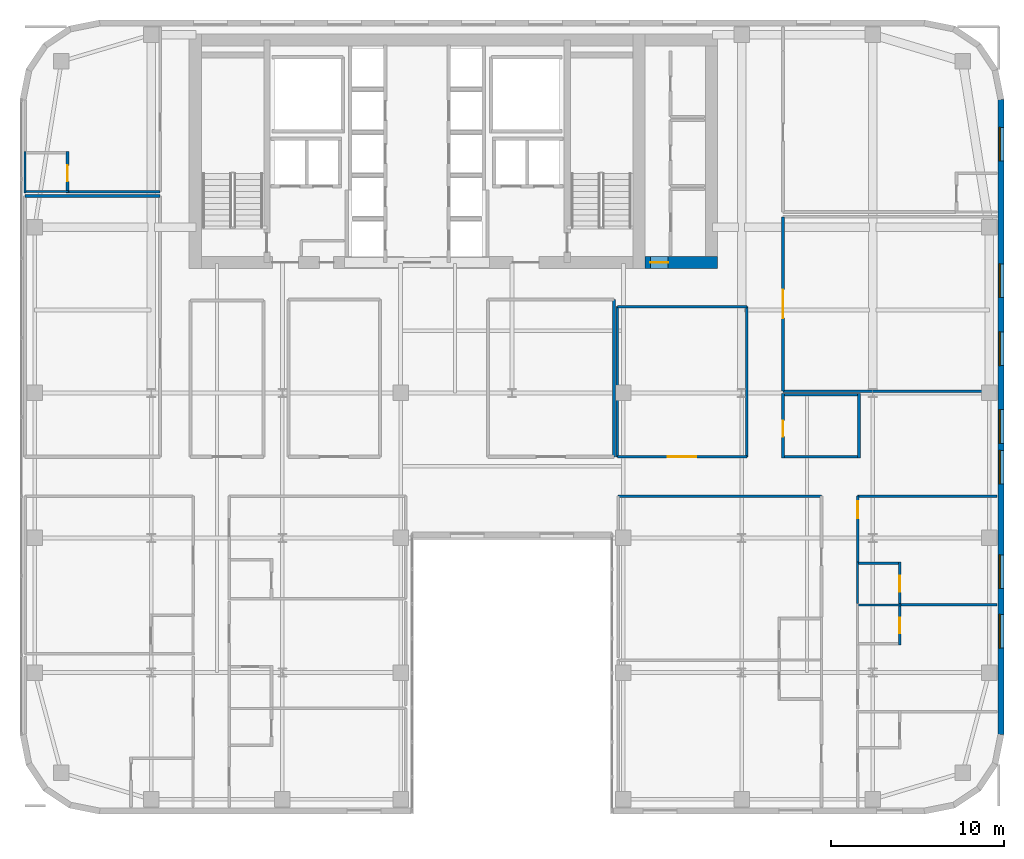
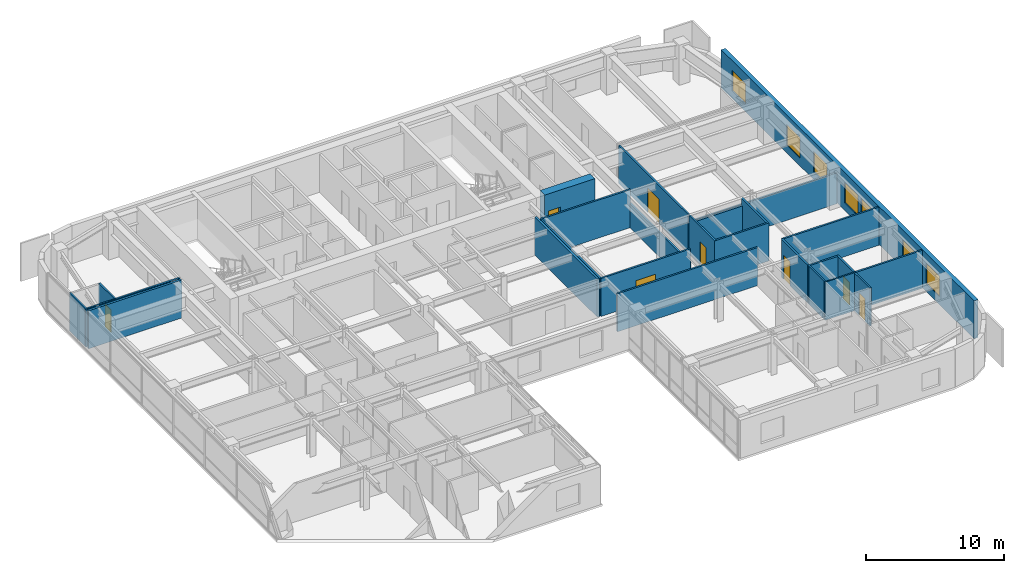
# One storey, part 26 of 30: 27 walls, 8 doors, 7 windows, 15 openings.
"""IFC4 building model written with IfcOpenShell, lengths in metres."""

from ifc_helpers import new_model, si_unit, direction, frame, frame_2d, origin, place, context, subcontext, project, spatial, rectangle, extrude, source, transform, mapped, material, layer, layer_set, type_object, type_shapes, element, fill, save


model = new_model("IFC4")

# Units and contexts
model_context = context("Model", 3, precision=1e-05, world=origin(), true_north=direction((0.0, 1.0)))
body_context = subcontext(model_context, "Body", "Model", "MODEL_VIEW")
ifc_project = project(units=[si_unit("LENGTHUNIT", "METRE"), si_unit("AREAUNIT", "SQUARE_METRE"), si_unit("VOLUMEUNIT", "CUBIC_METRE"), si_unit("PLANEANGLEUNIT", "RADIAN"), si_unit("MASSUNIT", "GRAM", prefix="KILO")], contexts=[model_context])

# Site, building, storey
site_placement = place(None, origin())
site = spatial("IfcSite", under=ifc_project, at=site_placement, CompositionType="ELEMENT")
building_placement = place(site_placement, origin())
building = spatial("IfcBuilding", under=site, at=building_placement, Name="Tolvann Quenvar Hotel", CompositionType="ELEMENT")
storey_placement = place(building_placement, frame((0.0, 0.0, 100.89990234375)))
storey = spatial("IfcBuildingStorey", under=building, at=storey_placement, Name="L25", CompositionType="ELEMENT", Elevation=100.89990234375)

# Wall, opening, door
ifc_material_1 = material(Name="Concrete S65 (65 MPa)", Category="concrete")
ifc_layer_1 = layer(ifc_material_1, 0.699951171875)
ifc_layer_set_1 = layer_set([ifc_layer_1], Name="Concrete S65 (65 MPa)")
wall_type_1 = type_object("IfcWallType", Name="WALL_CORE_700", PredefinedType="SHEAR", material=ifc_layer_set_1)
wall_1_placement = place(storey_placement, frame((36.199951171875, 31.949951171875, 0.0), z_axis=(0.0, 0.0, 1.0), x_axis=(1.0, 0.0, 0.0)))
wall_1 = element("IfcWall", 1, at=wall_1_placement, inside=storey, type_object=wall_type_1, Name="Core East Annex Shear Wall ANN-S (L25)", PredefinedType="SHEAR", context=body_context, shape_type="SweptSolid", body=[
    extrude(rectangle(XDim=4.199951171875, YDim=0.699951171875, at=frame_2d((2.10009765625, 0.0))), origin(), (0.0, 0.0, 1.0), 3.550048828125),
])
opening_1_placement = place(wall_1_placement, frame((1.340087890625, 0.0, 0.0), z_axis=(0.0, 0.0, 1.0), x_axis=(-1.0, 0.0, 0.0)))
opening_1 = element("IfcOpeningElement", 2, at=opening_1_placement, cuts=wall_1, Name="Opening HD-01", PredefinedType="OPENING", context=body_context, shape_type="SweptSolid", body=[
    extrude(rectangle(XDim=1.02001953125, YDim=2.030029296875, at=frame_2d((0.510009765625, 1.01513671875))), frame((0.0, 0.35986328125, 0.0), z_axis=(0.0, -1.0, 0.0), x_axis=(1.0, 0.0, 0.0)), (0.0, 0.0, 1.0), 0.719970703125),
])
ifc_material_2 = material(Name="Pressed galvanised steel fire-rated door set", Category="steel")
door_type_1 = type_object("IfcDoorType", Name="DOOR_BOH_1020", OperationType="NOTDEFINED", PredefinedType="DOOR", material=ifc_material_2)
shared_shape_1 = source(origin(), body_context, "Body", "SweptSolid", [
    extrude(rectangle(XDim=1.02001953125, YDim=2.030029296875, at=frame_2d((0.510009765625, 1.01513671875))), frame((0.0, 0.02490234375, 0.0), z_axis=(0.0, -1.0, 0.0), x_axis=(1.0, 0.0, 0.0)), (0.0, 0.0, 1.0), 0.050048828125),
])
type_shapes(door_type_1, [shared_shape_1])
door_1_placement = place(opening_1_placement, origin())
door_1 = element("IfcDoor", 3, at=door_1_placement, inside=storey, type_object=door_type_1, Name="Housekeeping Annex Fire Door (L25)", OperationType="SINGLE_SWING_RIGHT", OverallHeight=2.030029296875, OverallWidth=1.02001953125, PredefinedType="DOOR", context=body_context, shape_type="MappedRepresentation", body=[
    mapped(shared_shape_1, transform((0.0, 0.0, 0.0), x_axis=(1.0, 0.0, 0.0), y_axis=(0.0, 1.0, 0.0), z_axis=(0.0, 0.0, 1.0), scale=1.0)),
])
fill(opening_1, door_1)

# Wall, openings, windows
ifc_material_3 = material(Name="Kiln-fired red and buff architectural clay brickwork and terracotta masonry", Category="masonry")
ifc_layer_2 = layer(ifc_material_3, 0.35009765625)
ifc_layer_set_2 = layer_set([ifc_layer_2], Name="Kiln-fired red and buff architectural clay brickwork and terracotta masonry")
wall_type_2 = type_object("IfcWallType", Name="WALL_EXT_BRICK_350", PredefinedType="SOLIDWALL", material=ifc_layer_set_2)
wall_2_placement = place(storey_placement, frame((56.824951171875, 4.6171875, 0.0), z_axis=(0.0, 0.0, 1.0), x_axis=(0.0, 1.0, 0.0)))
wall_2 = element("IfcWall", 4, at=wall_2_placement, inside=storey, type_object=wall_type_2, Name="Exterior Chicago Brick Wall L25-E13", PredefinedType="SOLIDWALL", context=body_context, shape_type="SweptSolid", body=[
    extrude(rectangle(XDim=36.765625, YDim=0.35009765625, at=frame_2d((18.3828125, 0.0))), origin(), (0.0, 0.0, 1.0), 3.3701171875),
])
opening_2_placement = place(wall_2_placement, frame((5.0029296875, 0.0, 0.679931640625)))
opening_2 = element("IfcOpeningElement", 5, at=opening_2_placement, cuts=wall_2, Name="Opening W-10", PredefinedType="OPENING", context=body_context, shape_type="SweptSolid", body=[
    extrude(rectangle(XDim=1.949951171875, YDim=1.820068359375, at=frame_2d((0.97509765625, 0.91015625))), frame((0.0, 0.18505859375, 0.0), z_axis=(0.0, -1.0, 0.0), x_axis=(1.0, 0.0, 0.0)), (0.0, 0.0, 1.0), 0.3701171875),
])
opening_3_placement = place(wall_2_placement, frame((8.4541015625, 0.0, 0.679931640625)))
opening_3 = element("IfcOpeningElement", 6, at=opening_3_placement, cuts=wall_2, Name="Opening W-10", PredefinedType="OPENING", context=body_context, shape_type="SweptSolid", body=[
    extrude(rectangle(XDim=1.949951171875, YDim=1.820068359375, at=frame_2d((0.97509765625, 0.91015625))), frame((0.0, 0.18505859375, 0.0), z_axis=(0.0, -1.0, 0.0), x_axis=(1.0, 0.0, 0.0)), (0.0, 0.0, 1.0), 0.3701171875),
])
opening_4_placement = place(wall_2_placement, frame((14.506103515625, 0.0, 0.679931640625)))
opening_4 = element("IfcOpeningElement", 7, at=opening_4_placement, cuts=wall_2, Name="Opening W-10", PredefinedType="OPENING", context=body_context, shape_type="SweptSolid", body=[
    extrude(rectangle(XDim=1.949951171875, YDim=1.820068359375, at=frame_2d((0.97509765625, 0.91015625))), frame((0.0, 0.18505859375, 0.0), z_axis=(0.0, -1.0, 0.0), x_axis=(1.0, 0.0, 0.0)), (0.0, 0.0, 1.0), 0.3701171875),
])
opening_5_placement = place(wall_2_placement, frame((16.85791015625, 0.0, 0.679931640625)))
opening_5 = element("IfcOpeningElement", 8, at=opening_5_placement, cuts=wall_2, Name="Opening W-10", PredefinedType="OPENING", context=body_context, shape_type="SweptSolid", body=[
    extrude(rectangle(XDim=1.949951171875, YDim=1.820068359375, at=frame_2d((0.97509765625, 0.91015625))), frame((0.0, 0.18505859375, 0.0), z_axis=(0.0, -1.0, 0.0), x_axis=(1.0, 0.0, 0.0)), (0.0, 0.0, 1.0), 0.3701171875),
])
opening_6_placement = place(wall_2_placement, frame((21.360107421875, 0.0, 0.679931640625)))
opening_6 = element("IfcOpeningElement", 9, at=opening_6_placement, cuts=wall_2, Name="Opening W-10", PredefinedType="OPENING", context=body_context, shape_type="SweptSolid", body=[
    extrude(rectangle(XDim=1.949951171875, YDim=1.820068359375, at=frame_2d((0.97509765625, 0.91015625))), frame((0.0, 0.18505859375, 0.0), z_axis=(0.0, -1.0, 0.0), x_axis=(1.0, 0.0, 0.0)), (0.0, 0.0, 1.0), 0.3701171875),
])
opening_7_placement = place(wall_2_placement, frame((25.31103515625, 0.0, 0.679931640625)))
opening_7 = element("IfcOpeningElement", 10, at=opening_7_placement, cuts=wall_2, Name="Opening W-10", PredefinedType="OPENING", context=body_context, shape_type="SweptSolid", body=[
    extrude(rectangle(XDim=1.949951171875, YDim=1.820068359375, at=frame_2d((0.97509765625, 0.91015625))), frame((0.0, 0.18505859375, 0.0), z_axis=(0.0, -1.0, 0.0), x_axis=(1.0, 0.0, 0.0)), (0.0, 0.0, 1.0), 0.3701171875),
])
opening_8_placement = place(wall_2_placement, frame((33.215087890625, 0.0, 0.679931640625)))
opening_8 = element("IfcOpeningElement", 11, at=opening_8_placement, cuts=wall_2, Name="Opening W-10", PredefinedType="OPENING", context=body_context, shape_type="SweptSolid", body=[
    extrude(rectangle(XDim=1.949951171875, YDim=1.820068359375, at=frame_2d((0.97509765625, 0.91015625))), frame((0.0, 0.18505859375, 0.0), z_axis=(0.0, -1.0, 0.0), x_axis=(1.0, 0.0, 0.0)), (0.0, 0.0, 1.0), 0.3701171875),
])
ifc_material_4 = material(Name="Thermally broken bronze-anodised aluminium frame with double low-E glazing", Category="aluminium")
window_type = type_object("IfcWindowType", Name="WIN_CLB_1950x1850", PartitioningType="DOUBLE_PANEL_VERTICAL", PredefinedType="WINDOW", material=ifc_material_4)
shared_shape_2 = source(origin(), body_context, "Body", "SweptSolid", [
    extrude(rectangle(XDim=1.949951171875, YDim=1.820068359375, at=frame_2d((0.97509765625, 0.91015625))), frame((0.0, 0.090087890625, 0.0), z_axis=(0.0, -1.0, 0.0), x_axis=(1.0, 0.0, 0.0)), (0.0, 0.0, 1.0), 0.06005859375),
])
type_shapes(window_type, [shared_shape_2])
window_1_placement = place(opening_2_placement, origin())
window_1 = element("IfcWindow", 12, at=window_1_placement, inside=storey, type_object=window_type, Name="Chicago Window W-10 (EW-L25-E13-W01)", OverallHeight=1.820068359375, OverallWidth=1.949951171875, PartitioningType="DOUBLE_PANEL_VERTICAL", PredefinedType="WINDOW", context=body_context, shape_type="MappedRepresentation", body=[
    mapped(shared_shape_2, transform((0.0, 0.0, 0.0), x_axis=(1.0, 0.0, 0.0), y_axis=(0.0, 1.0, 0.0), z_axis=(0.0, 0.0, 1.0), scale=1.0)),
])
fill(opening_2, window_1)
window_2_placement = place(opening_3_placement, origin())
window_2 = element("IfcWindow", 13, at=window_2_placement, inside=storey, type_object=window_type, Name="Chicago Window W-10 (EW-L25-E13-W02)", OverallHeight=1.820068359375, OverallWidth=1.949951171875, PartitioningType="DOUBLE_PANEL_VERTICAL", PredefinedType="WINDOW", context=body_context, shape_type="MappedRepresentation", body=[
    mapped(shared_shape_2, transform((0.0, 0.0, 0.0), x_axis=(1.0, 0.0, 0.0), y_axis=(0.0, 1.0, 0.0), z_axis=(0.0, 0.0, 1.0), scale=1.0)),
])
fill(opening_3, window_2)
window_3_placement = place(opening_4_placement, origin())
window_3 = element("IfcWindow", 14, at=window_3_placement, inside=storey, type_object=window_type, Name="Chicago Window W-10 (EW-L25-E13-W03)", OverallHeight=1.820068359375, OverallWidth=1.949951171875, PartitioningType="DOUBLE_PANEL_VERTICAL", PredefinedType="WINDOW", context=body_context, shape_type="MappedRepresentation", body=[
    mapped(shared_shape_2, transform((0.0, 0.0, 0.0), x_axis=(1.0, 0.0, 0.0), y_axis=(0.0, 1.0, 0.0), z_axis=(0.0, 0.0, 1.0), scale=1.0)),
])
fill(opening_4, window_3)
window_4_placement = place(opening_5_placement, origin())
window_4 = element("IfcWindow", 15, at=window_4_placement, inside=storey, type_object=window_type, Name="Chicago Window W-10 (EW-L25-E13-W04)", OverallHeight=1.820068359375, OverallWidth=1.949951171875, PartitioningType="DOUBLE_PANEL_VERTICAL", PredefinedType="WINDOW", context=body_context, shape_type="MappedRepresentation", body=[
    mapped(shared_shape_2, transform((0.0, 0.0, 0.0), x_axis=(1.0, 0.0, 0.0), y_axis=(0.0, 1.0, 0.0), z_axis=(0.0, 0.0, 1.0), scale=1.0)),
])
fill(opening_5, window_4)
window_5_placement = place(opening_6_placement, origin())
window_5 = element("IfcWindow", 16, at=window_5_placement, inside=storey, type_object=window_type, Name="Chicago Window W-10 (EW-L25-E13-W05)", OverallHeight=1.820068359375, OverallWidth=1.949951171875, PartitioningType="DOUBLE_PANEL_VERTICAL", PredefinedType="WINDOW", context=body_context, shape_type="MappedRepresentation", body=[
    mapped(shared_shape_2, transform((0.0, 0.0, 0.0), x_axis=(1.0, 0.0, 0.0), y_axis=(0.0, 1.0, 0.0), z_axis=(0.0, 0.0, 1.0), scale=1.0)),
])
fill(opening_6, window_5)
window_6_placement = place(opening_7_placement, origin())
window_6 = element("IfcWindow", 17, at=window_6_placement, inside=storey, type_object=window_type, Name="Chicago Window W-10 (EW-L25-E13-W06)", OverallHeight=1.820068359375, OverallWidth=1.949951171875, PartitioningType="DOUBLE_PANEL_VERTICAL", PredefinedType="WINDOW", context=body_context, shape_type="MappedRepresentation", body=[
    mapped(shared_shape_2, transform((0.0, 0.0, 0.0), x_axis=(1.0, 0.0, 0.0), y_axis=(0.0, 1.0, 0.0), z_axis=(0.0, 0.0, 1.0), scale=1.0)),
])
fill(opening_7, window_6)
window_7_placement = place(opening_8_placement, origin())
window_7 = element("IfcWindow", 18, at=window_7_placement, inside=storey, type_object=window_type, Name="Chicago Window W-10 (EW-L25-E13-W07)", OverallHeight=1.820068359375, OverallWidth=1.949951171875, PartitioningType="DOUBLE_PANEL_VERTICAL", PredefinedType="WINDOW", context=body_context, shape_type="MappedRepresentation", body=[
    mapped(shared_shape_2, transform((0.0, 0.0, 0.0), x_axis=(1.0, 0.0, 0.0), y_axis=(0.0, 1.0, 0.0), z_axis=(0.0, 0.0, 1.0), scale=1.0)),
])
fill(opening_8, window_7)

# Walls
ifc_material_5 = material(Name="Acoustic twin-stud fire-rated gypsum plasterboard partition")
ifc_layer_3 = layer(ifc_material_5, 0.179931640625)
ifc_layer_set_3 = layer_set([ifc_layer_3], Name="Acoustic twin-stud fire-rated gypsum plasterboard partition")
wall_type_3 = type_object("IfcWallType", Name="WALL_PART_ACOUSTIC_180", PredefinedType="PARTITIONING", material=ifc_layer_set_3)
wall_3_placement = place(storey_placement, frame((0.300048828125, 35.800048828125, 0.0), z_axis=(0.0, 0.0, 1.0), x_axis=(1.0, 0.0, 0.0)))
element("IfcWall", 19, at=wall_3_placement, inside=storey, type_object=wall_type_3, Name="Interior Partition PT-SPC-L25-SAL-N", PredefinedType="PARTITIONING", context=body_context, shape_type="SweptSolid", body=[
    extrude(rectangle(XDim=7.820068359375, YDim=0.179931640625, at=frame_2d((3.91015625, 0.0))), origin(), (0.0, 0.0, 1.0), 3.3701171875),
])
wall_4_placement = place(storey_placement, frame((34.39990234375, 20.699951171875, 0.0), z_axis=(0.0, 0.0, 1.0), x_axis=(0.0, 1.0, 0.0)))
element("IfcWall", 20, at=wall_4_placement, inside=storey, type_object=wall_type_3, Name="Interior Partition PT-SPC-L25-MSP-C-E", PredefinedType="PARTITIONING", context=body_context, shape_type="SweptSolid", body=[
    extrude(rectangle(XDim=9.10009765625, YDim=0.179931640625, at=frame_2d((4.550048828125, 0.0))), origin(), (0.0, 0.0, 1.0), 3.3701171875),
])
ifc_material_6 = material(Name="Moisture-resistant acoustic plumbing wall assembly")
ifc_layer_4 = layer(ifc_material_6, 0.1201171875)
ifc_layer_set_4 = layer_set([ifc_layer_4], Name="Moisture-resistant acoustic plumbing wall assembly")
wall_type_4 = type_object("IfcWallType", Name="WALL_PART_BATH_120", PredefinedType="PLUMBINGWALL", material=ifc_layer_set_4)
wall_5_placement = place(storey_placement, frame((48.449951171875, 12.1201171875, 0.0), z_axis=(0.0, 0.0, 1.0), x_axis=(1.0, 0.0, 0.0)))
element("IfcWall", 21, at=wall_5_placement, inside=storey, type_object=wall_type_4, Name="Non-Rated Plumbing Partition PT-SPC-L25-ENS-EO02-N", PredefinedType="PLUMBINGWALL", context=body_context, shape_type="SweptSolid", body=[
    extrude(rectangle(XDim=2.590087890625, YDim=0.1201171875, at=frame_2d((1.294921875, 0.0))), origin(), (0.0, 0.0, 1.0), 3.3701171875),
])
wall_6_placement = place(storey_placement, frame((48.52001953125, 12.2099609375, 0.0), z_axis=(0.0, 0.0, 1.0), x_axis=(0.0, 1.0, 0.0)))
element("IfcWall", 22, at=wall_6_placement, inside=storey, type_object=wall_type_4, Name="Non-Rated Plumbing Partition PT-SPC-L25-ENS-EO03-W", PredefinedType="PLUMBINGWALL", context=body_context, shape_type="SweptSolid", body=[
    extrude(rectangle(XDim=2.39013671875, YDim=0.1201171875, at=frame_2d((1.195068359375, 0.0))), origin(), (0.0, 0.0, 1.0), 3.3701171875),
])
wall_7_placement = place(storey_placement, frame((0.22998046875, 36.06005859375, 0.0), z_axis=(0.0, 0.0, 1.0), x_axis=(1.0, 0.0, 0.0)))
element("IfcWall", 23, at=wall_7_placement, inside=storey, type_object=wall_type_4, Name="Non-Rated Plumbing Partition PT-SPC-L25-ENS-NW01-S", PredefinedType="PLUMBINGWALL", context=body_context, shape_type="SweptSolid", body=[
    extrude(rectangle(XDim=2.590087890625, YDim=0.1201171875, at=frame_2d((1.294921875, 0.0))), origin(), (0.0, 0.0, 1.0), 3.3701171875),
])
wall_8_placement = place(storey_placement, frame((0.300048828125, 35.989990234375, 0.0), z_axis=(0.0, 0.0, 1.0), x_axis=(0.0, 1.0, 0.0)))
element("IfcWall", 24, at=wall_8_placement, inside=storey, type_object=wall_type_4, Name="Non-Rated Plumbing Partition PT-SPC-L25-ENS-NW01-W", PredefinedType="PLUMBINGWALL", context=body_context, shape_type="SweptSolid", body=[
    extrude(rectangle(XDim=2.389892578125, YDim=0.1201171875, at=frame_2d((1.19482421875, 0.0))), origin(), (0.0, 0.0, 1.0), 3.3701171875),
])

# Wall, opening, door
ifc_layer_5 = layer(ifc_material_5, 0.14990234375)
ifc_layer_set_5 = layer_set([ifc_layer_5], Name="Acoustic twin-stud fire-rated gypsum plasterboard partition")
wall_type_5 = type_object("IfcWallType", Name="WALL_PART_SUITE_150", PredefinedType="PARTITIONING", material=ifc_layer_set_5)
wall_9_placement = place(storey_placement, frame((50.969970703125, 9.800048828125, 0.0), z_axis=(0.0, 0.0, 1.0), x_axis=(0.0, 1.0, 0.0)))
wall_9 = element("IfcWall", 25, at=wall_9_placement, inside=storey, type_object=wall_type_5, Name="Interior Partition PT-SPC-L25-ENS-EO02-ENT", PredefinedType="PARTITIONING", context=body_context, shape_type="SweptSolid", body=[
    extrude(rectangle(XDim=2.389892578125, YDim=0.14990234375, at=frame_2d((1.19482421875, 0.0))), origin(), (0.0, 0.0, 1.0), 3.3701171875),
])
opening_9_placement = place(wall_9_placement, frame((0.6650390625, 0.0, 0.0)))
opening_9 = element("IfcOpeningElement", 26, at=opening_9_placement, cuts=wall_9, Name="Opening WD-01", PredefinedType="OPENING", context=body_context, shape_type="SweptSolid", body=[
    extrude(rectangle(XDim=0.919921875, YDim=2.010009765625, at=frame_2d((0.4599609375, 1.0048828125))), frame((0.0, 0.0849609375, 0.0), z_axis=(0.0, -1.0, 0.0), x_axis=(1.0, 0.0, 0.0)), (0.0, 0.0, 1.0), 0.169921875),
])
ifc_material_7 = material(Name="Solid-core American oak acoustic fire door leaf in steel frame", Category="steel")
door_type_2 = type_object("IfcDoorType", Name="DOOR_WC_920", OperationType="NOTDEFINED", PredefinedType="DOOR", material=ifc_material_7)
shared_shape_3 = source(origin(), body_context, "Body", "SweptSolid", [
    extrude(rectangle(XDim=0.919921875, YDim=2.010009765625, at=frame_2d((0.4599609375, 1.0048828125))), frame((0.0, 0.02490234375, 0.0), z_axis=(0.0, -1.0, 0.0), x_axis=(1.0, 0.0, 0.0)), (0.0, 0.0, 1.0), 0.050048828125),
])
type_shapes(door_type_2, [shared_shape_3])
door_2_placement = place(opening_9_placement, origin())
door_2 = element("IfcDoor", 27, at=door_2_placement, inside=storey, type_object=door_type_2, Name="Interior Door DOOR-SPC-L25-ENS-EO02", OperationType="SINGLE_SWING_LEFT", OverallHeight=2.010009765625, OverallWidth=0.919921875, PredefinedType="DOOR", context=body_context, shape_type="MappedRepresentation", body=[
    mapped(shared_shape_3, transform((0.0, 0.0, 0.0), x_axis=(1.0, 0.0, 0.0), y_axis=(0.0, 1.0, 0.0), z_axis=(0.0, 0.0, 1.0), scale=1.0)),
])
fill(opening_9, door_2)

wall_10_placement = place(storey_placement, frame((50.969970703125, 12.2099609375, 0.0), z_axis=(0.0, 0.0, 1.0), x_axis=(0.0, 1.0, 0.0)))
wall_10 = element("IfcWall", 28, at=wall_10_placement, inside=storey, type_object=wall_type_5, Name="Interior Partition PT-SPC-L25-ENS-EO03-ENT", PredefinedType="PARTITIONING", context=body_context, shape_type="SweptSolid", body=[
    extrude(rectangle(XDim=2.39013671875, YDim=0.14990234375, at=frame_2d((1.195068359375, 0.0))), origin(), (0.0, 0.0, 1.0), 3.3701171875),
])
opening_10_placement = place(wall_10_placement, frame((0.6650390625, 0.0, 0.0)))
opening_10 = element("IfcOpeningElement", 29, at=opening_10_placement, cuts=wall_10, Name="Opening WD-01", PredefinedType="OPENING", context=body_context, shape_type="SweptSolid", body=[
    extrude(rectangle(XDim=0.919921875, YDim=2.010009765625, at=frame_2d((0.4599609375, 1.0048828125))), frame((0.0, 0.0849609375, 0.0), z_axis=(0.0, -1.0, 0.0), x_axis=(1.0, 0.0, 0.0)), (0.0, 0.0, 1.0), 0.169921875),
])
door_3_placement = place(opening_10_placement, origin())
door_3 = element("IfcDoor", 30, at=door_3_placement, inside=storey, type_object=door_type_2, Name="Interior Door DOOR-SPC-L25-ENS-EO03", OperationType="SINGLE_SWING_RIGHT", OverallHeight=2.010009765625, OverallWidth=0.919921875, PredefinedType="DOOR", context=body_context, shape_type="MappedRepresentation", body=[
    mapped(shared_shape_3, transform((0.0, 0.0, 0.0), x_axis=(1.0, 0.0, 0.0), y_axis=(0.0, 1.0, 0.0), z_axis=(0.0, 0.0, 1.0), scale=1.0)),
])
fill(opening_10, door_3)

# Wall
wall_11_placement = place(storey_placement, frame((48.449951171875, 14.530029296875, 0.0), z_axis=(0.0, 0.0, 1.0), x_axis=(1.0, 0.0, 0.0)))
element("IfcWall", 31, at=wall_11_placement, inside=storey, type_object=wall_type_5, Name="Interior Partition PT-SPC-L25-ENS-EO03-N", PredefinedType="PARTITIONING", context=body_context, shape_type="SweptSolid", body=[
    extrude(rectangle(XDim=2.590087890625, YDim=0.14990234375, at=frame_2d((1.294921875, 0.0))), origin(), (0.0, 0.0, 1.0), 3.3701171875),
])

# Wall, opening, door
wall_12_placement = place(storey_placement, frame((2.75, 35.989990234375, 0.0), z_axis=(0.0, 0.0, 1.0), x_axis=(0.0, 1.0, 0.0)))
wall_12 = element("IfcWall", 32, at=wall_12_placement, inside=storey, type_object=wall_type_5, Name="Interior Partition PT-SPC-L25-ENS-NW01-ENT", PredefinedType="PARTITIONING", context=body_context, shape_type="SweptSolid", body=[
    extrude(rectangle(XDim=2.389892578125, YDim=0.14990234375, at=frame_2d((1.19482421875, 0.0))), origin(), (0.0, 0.0, 1.0), 3.3701171875),
])
opening_11_placement = place(wall_12_placement, frame((0.6650390625, 0.0, 0.0)))
opening_11 = element("IfcOpeningElement", 33, at=opening_11_placement, cuts=wall_12, Name="Opening WD-01", PredefinedType="OPENING", context=body_context, shape_type="SweptSolid", body=[
    extrude(rectangle(XDim=0.919921875, YDim=2.010009765625, at=frame_2d((0.4599609375, 1.0048828125))), frame((0.0, 0.0849609375, 0.0), z_axis=(0.0, -1.0, 0.0), x_axis=(1.0, 0.0, 0.0)), (0.0, 0.0, 1.0), 0.169921875),
])
door_4_placement = place(opening_11_placement, origin())
door_4 = element("IfcDoor", 34, at=door_4_placement, inside=storey, type_object=door_type_2, Name="Interior Door DOOR-SPC-L25-ENS-NW01", OperationType="SINGLE_SWING_LEFT", OverallHeight=2.010009765625, OverallWidth=0.919921875, PredefinedType="DOOR", context=body_context, shape_type="MappedRepresentation", body=[
    mapped(shared_shape_3, transform((0.0, 0.0, 0.0), x_axis=(1.0, 0.0, 0.0), y_axis=(0.0, 1.0, 0.0), z_axis=(0.0, 0.0, 1.0), scale=1.0)),
])
fill(opening_11, door_4)

# Walls
wall_13_placement = place(storey_placement, frame((34.64990234375, 18.419921875, 0.0), z_axis=(0.0, 0.0, 1.0), x_axis=(1.0, 0.0, 0.0)))
element("IfcWall", 35, at=wall_13_placement, inside=storey, type_object=wall_type_5, Name="Interior Partition PT-SPC-L25-RM-EI02-E5", PredefinedType="PARTITIONING", context=body_context, shape_type="SweptSolid", body=[
    extrude(rectangle(XDim=11.780029296875, YDim=0.14990234375, at=frame_2d((5.89013671875, 0.0))), origin(), (0.0, 0.0, 1.0), 3.3701171875),
])
wall_14_placement = place(storey_placement, frame((50.989990234375, 12.1201171875, 0.0), z_axis=(0.0, 0.0, 1.0), x_axis=(1.0, 0.0, 0.0)))
element("IfcWall", 36, at=wall_14_placement, inside=storey, type_object=wall_type_5, Name="Interior Partition PT-SPC-L25-RM-EO02-E3", PredefinedType="PARTITIONING", context=body_context, shape_type="SweptSolid", body=[
    extrude(rectangle(XDim=5.60498046875, YDim=0.14990234375, at=frame_2d((2.802490234375, 0.0))), origin(), (0.0, 0.0, 1.0), 3.3701171875),
])

# Wall, opening, door
wall_15_placement = place(storey_placement, frame((48.52001953125, 14.610107421875, 0.0), z_axis=(0.0, 0.0, 1.0), x_axis=(0.0, 1.0, 0.0)))
wall_15 = element("IfcWall", 37, at=wall_15_placement, inside=storey, type_object=wall_type_5, Name="Interior Partition PT-SPC-L25-RM-EO03-ENT", PredefinedType="PARTITIONING", context=body_context, shape_type="SweptSolid", body=[
    extrude(rectangle(XDim=3.809814453125, YDim=0.14990234375, at=frame_2d((1.90478515625, 0.0))), origin(), (0.0, 0.0, 1.0), 3.3701171875),
])
opening_12_placement = place(wall_15_placement, frame((2.52001953125, 0.0, 0.0)))
opening_12 = element("IfcOpeningElement", 38, at=opening_12_placement, cuts=wall_15, Name="Opening SD-01", PredefinedType="OPENING", context=body_context, shape_type="SweptSolid", body=[
    extrude(rectangle(XDim=0.97998046875, YDim=2.1201171875, at=frame_2d((0.489990234375, 1.06005859375))), frame((0.0, 0.0849609375, 0.0), z_axis=(0.0, -1.0, 0.0), x_axis=(1.0, 0.0, 0.0)), (0.0, 0.0, 1.0), 0.169921875),
])
door_type_3 = type_object("IfcDoorType", Name="DOOR_SUITE_980", OperationType="NOTDEFINED", PredefinedType="DOOR", material=ifc_material_7)
shared_shape_4 = source(origin(), body_context, "Body", "SweptSolid", [
    extrude(rectangle(XDim=0.97998046875, YDim=2.1201171875, at=frame_2d((0.489990234375, 1.06005859375))), frame((0.0, 0.02490234375, 0.0), z_axis=(0.0, -1.0, 0.0), x_axis=(1.0, 0.0, 0.0)), (0.0, 0.0, 1.0), 0.050048828125),
])
type_shapes(door_type_3, [shared_shape_4])
door_5_placement = place(opening_12_placement, origin())
door_5 = element("IfcDoor", 39, at=door_5_placement, inside=storey, type_object=door_type_3, Name="Interior Door DOOR-SPC-L25-RM-EO03", OperationType="SINGLE_SWING_LEFT", OverallHeight=2.1201171875, OverallWidth=0.97998046875, PredefinedType="DOOR", context=body_context, shape_type="MappedRepresentation", body=[
    mapped(shared_shape_4, transform((0.0, 0.0, 0.0), x_axis=(1.0, 0.0, 0.0), y_axis=(0.0, 1.0, 0.0), z_axis=(0.0, 0.0, 1.0), scale=1.0)),
])
fill(opening_12, door_5)

# Walls
wall_16_placement = place(storey_placement, frame((48.52001953125, 18.419921875, 0.0), z_axis=(0.0, 0.0, 1.0), x_axis=(1.0, 0.0, 0.0)))
element("IfcWall", 40, at=wall_16_placement, inside=storey, type_object=wall_type_5, Name="Interior Partition PT-SPC-L25-RM-EO03-E5", PredefinedType="PARTITIONING", context=body_context, shape_type="SweptSolid", body=[
    extrude(rectangle(XDim=8.074951171875, YDim=0.14990234375, at=frame_2d((4.03759765625, 0.0))), origin(), (0.0, 0.0, 1.0), 3.3701171875),
])
wall_17_placement = place(storey_placement, frame((2.77001953125, 36.06005859375, 0.0), z_axis=(0.0, 0.0, 1.0), x_axis=(1.0, 0.0, 0.0)))
element("IfcWall", 41, at=wall_17_placement, inside=storey, type_object=wall_type_5, Name="Interior Partition PT-SPC-L25-RM-NW01-E3", PredefinedType="PARTITIONING", context=body_context, shape_type="SweptSolid", body=[
    extrude(rectangle(XDim=5.35009765625, YDim=0.14990234375, at=frame_2d((2.675048828125, 0.0))), origin(), (0.0, 0.0, 1.0), 3.3701171875),
])

# Wall, opening, door
wall_18_placement = place(storey_placement, frame((44.199951171875, 20.6298828125, 0.0), z_axis=(0.0, 0.0, 1.0), x_axis=(0.0, 1.0, 0.0)))
wall_18 = element("IfcWall", 42, at=wall_18_placement, inside=storey, type_object=wall_type_5, Name="Interior Partition PT-SPC-L25-WCA-ENT", PredefinedType="PARTITIONING", context=body_context, shape_type="SweptSolid", body=[
    extrude(rectangle(XDim=3.740234375, YDim=0.14990234375, at=frame_2d((1.8701171875, 0.0))), origin(), (0.0, 0.0, 1.0), 3.3701171875),
])
opening_13_placement = place(wall_18_placement, frame((1.239990234375, 0.0, 0.0)))
opening_13 = element("IfcOpeningElement", 43, at=opening_13_placement, cuts=wall_18, Name="Opening WD-01", PredefinedType="OPENING", context=body_context, shape_type="SweptSolid", body=[
    extrude(rectangle(XDim=0.919921875, YDim=2.010009765625, at=frame_2d((0.4599609375, 1.0048828125))), frame((0.0, 0.0849609375, 0.0), z_axis=(0.0, -1.0, 0.0), x_axis=(1.0, 0.0, 0.0)), (0.0, 0.0, 1.0), 0.169921875),
])
door_6_placement = place(opening_13_placement, origin())
door_6 = element("IfcDoor", 44, at=door_6_placement, inside=storey, type_object=door_type_2, Name="Interior Door DOOR-SPC-L25-WCA", OperationType="SINGLE_SWING_LEFT", OverallHeight=2.010009765625, OverallWidth=0.919921875, PredefinedType="DOOR", context=body_context, shape_type="MappedRepresentation", body=[
    mapped(shared_shape_3, transform((0.0, 0.0, 0.0), x_axis=(1.0, 0.0, 0.0), y_axis=(0.0, 1.0, 0.0), z_axis=(0.0, 0.0, 1.0), scale=1.0)),
])
fill(opening_13, door_6)

# Walls
wall_19_placement = place(storey_placement, frame((44.1298828125, 20.699951171875, 0.0), z_axis=(0.0, 0.0, 1.0), x_axis=(1.0, 0.0, 0.0)))
element("IfcWall", 45, at=wall_19_placement, inside=storey, type_object=wall_type_5, Name="Interior Partition PT-SPC-L25-WCA-S", PredefinedType="PARTITIONING", context=body_context, shape_type="SweptSolid", body=[
    extrude(rectangle(XDim=4.5400390625, YDim=0.14990234375, at=frame_2d((2.27001953125, 0.0))), origin(), (0.0, 0.0, 1.0), 3.3701171875),
])
wall_20_placement = place(storey_placement, frame((44.1298828125, 24.300048828125, 0.0), z_axis=(0.0, 0.0, 1.0), x_axis=(1.0, 0.0, 0.0)))
element("IfcWall", 46, at=wall_20_placement, inside=storey, type_object=wall_type_5, Name="Interior Partition PT-SPC-L25-WCA-N", PredefinedType="PARTITIONING", context=body_context, shape_type="SweptSolid", body=[
    extrude(rectangle(XDim=4.5400390625, YDim=0.14990234375, at=frame_2d((2.27001953125, 0.0))), origin(), (0.0, 0.0, 1.0), 2.748046875),
])
wall_21_placement = place(storey_placement, frame((48.60009765625, 20.6298828125, 0.0), z_axis=(0.0, 0.0, 1.0), x_axis=(0.0, 1.0, 0.0)))
element("IfcWall", 47, at=wall_21_placement, inside=storey, type_object=wall_type_5, Name="Interior Partition PT-SPC-L25-WCA-E", PredefinedType="PARTITIONING", context=body_context, shape_type="SweptSolid", body=[
    extrude(rectangle(XDim=3.740234375, YDim=0.14990234375, at=frame_2d((1.8701171875, 0.0))), origin(), (0.0, 0.0, 1.0), 3.3701171875),
])
wall_22_placement = place(storey_placement, frame((44.199951171875, 24.5, 0.0), z_axis=(0.0, 0.0, 1.0), x_axis=(1.0, 0.0, 0.0)))
element("IfcWall", 48, at=wall_22_placement, inside=storey, type_object=wall_type_5, Name="Interior Partition PT-SPC-L25-SPA-S", PredefinedType="PARTITIONING", context=body_context, shape_type="SweptSolid", body=[
    extrude(rectangle(XDim=12.39501953125, YDim=0.14990234375, at=frame_2d((6.197509765625, 0.0))), origin(), (0.0, 0.0, 1.0), 2.748046875),
])

# Wall, opening, door
wall_23_placement = place(storey_placement, frame((44.199951171875, 24.5, 0.0), z_axis=(0.0, 0.0, 1.0), x_axis=(0.0, 1.0, 0.0)))
wall_23 = element("IfcWall", 49, at=wall_23_placement, inside=storey, type_object=wall_type_5, Name="Interior Partition PT-SPC-L25-SPA-W", PredefinedType="PARTITIONING", context=body_context, shape_type="SweptSolid", body=[
    extrude(rectangle(XDim=10.10009765625, YDim=0.14990234375, at=frame_2d((5.050048828125, 0.0))), origin(), (0.0, 0.0, 1.0), 3.3701171875),
])
opening_14_placement = place(wall_23_placement, frame((4.22509765625, 0.0, 0.0)))
opening_14 = element("IfcOpeningElement", 50, at=opening_14_placement, cuts=wall_23, Name="Opening AD-01", PredefinedType="OPENING", context=body_context, shape_type="SweptSolid", body=[
    extrude(rectangle(XDim=1.64990234375, YDim=2.14990234375, at=frame_2d((0.824951171875, 1.074951171875))), frame((0.0, 0.0849609375, 0.0), z_axis=(0.0, -1.0, 0.0), x_axis=(1.0, 0.0, 0.0)), (0.0, 0.0, 1.0), 0.169921875),
])
door_type_4 = type_object("IfcDoorType", Name="DOOR_SALON_1650", OperationType="NOTDEFINED", PredefinedType="DOOR", material=ifc_material_7)
shared_shape_5 = source(origin(), body_context, "Body", "SweptSolid", [
    extrude(rectangle(XDim=1.64990234375, YDim=2.14990234375, at=frame_2d((0.824951171875, 1.074951171875))), frame((0.0, 0.02490234375, 0.0), z_axis=(0.0, -1.0, 0.0), x_axis=(1.0, 0.0, 0.0)), (0.0, 0.0, 1.0), 0.050048828125),
])
type_shapes(door_type_4, [shared_shape_5])
door_7_placement = place(opening_14_placement, origin())
door_7 = element("IfcDoor", 51, at=door_7_placement, inside=storey, type_object=door_type_4, Name="Interior Door DOOR-SPC-L25-SPA", OperationType="DOUBLE_DOOR_SINGLE_SWING", OverallHeight=2.14990234375, OverallWidth=1.64990234375, PredefinedType="DOOR", context=body_context, shape_type="MappedRepresentation", body=[
    mapped(shared_shape_5, transform((0.0, 0.0, 0.0), x_axis=(1.0, 0.0, 0.0), y_axis=(0.0, 1.0, 0.0), z_axis=(0.0, 0.0, 1.0), scale=1.0)),
])
fill(opening_14, door_7)

wall_24_placement = place(storey_placement, frame((34.60009765625, 20.699951171875, 0.0), z_axis=(0.0, 0.0, 1.0), x_axis=(1.0, 0.0, 0.0)))
wall_24 = element("IfcWall", 52, at=wall_24_placement, inside=storey, type_object=wall_type_5, Name="Interior Partition PT-SPC-L25-MSP-E-S", PredefinedType="PARTITIONING", context=body_context, shape_type="SweptSolid", body=[
    extrude(rectangle(XDim=7.5, YDim=0.14990234375, at=frame_2d((3.75, 0.0))), origin(), (0.0, 0.0, 1.0), 3.3701171875),
])
opening_15_placement = place(wall_24_placement, frame((2.925048828125, 0.0, 0.0)))
opening_15 = element("IfcOpeningElement", 53, at=opening_15_placement, cuts=wall_24, Name="Opening AD-01", PredefinedType="OPENING", context=body_context, shape_type="SweptSolid", body=[
    extrude(rectangle(XDim=1.64990234375, YDim=2.14990234375, at=frame_2d((0.824951171875, 1.074951171875))), frame((0.0, 0.0849609375, 0.0), z_axis=(0.0, -1.0, 0.0), x_axis=(1.0, 0.0, 0.0)), (0.0, 0.0, 1.0), 0.169921875),
])
door_8_placement = place(opening_15_placement, origin())
door_8 = element("IfcDoor", 54, at=door_8_placement, inside=storey, type_object=door_type_4, Name="Interior Door DOOR-SPC-L25-MSP-E", OperationType="DOUBLE_DOOR_SINGLE_SWING", OverallHeight=2.14990234375, OverallWidth=1.64990234375, PredefinedType="DOOR", context=body_context, shape_type="MappedRepresentation", body=[
    mapped(shared_shape_5, transform((0.0, 0.0, 0.0), x_axis=(1.0, 0.0, 0.0), y_axis=(0.0, 1.0, 0.0), z_axis=(0.0, 0.0, 1.0), scale=1.0)),
])
fill(opening_15, door_8)

# Walls
wall_25_placement = place(storey_placement, frame((34.60009765625, 29.39990234375, 0.0), z_axis=(0.0, 0.0, 1.0), x_axis=(1.0, 0.0, 0.0)))
element("IfcWall", 55, at=wall_25_placement, inside=storey, type_object=wall_type_5, Name="Interior Partition PT-SPC-L25-MSP-E-N", PredefinedType="PARTITIONING", context=body_context, shape_type="SweptSolid", body=[
    extrude(rectangle(XDim=7.5, YDim=0.14990234375, at=frame_2d((3.75, 0.0))), origin(), (0.0, 0.0, 1.0), 3.3701171875),
])
wall_26_placement = place(storey_placement, frame((34.60009765625, 20.699951171875, 0.0), z_axis=(0.0, 0.0, 1.0), x_axis=(0.0, 1.0, 0.0)))
element("IfcWall", 56, at=wall_26_placement, inside=storey, type_object=wall_type_5, Name="Interior Partition PT-SPC-L25-MSP-E-W", PredefinedType="PARTITIONING", context=body_context, shape_type="SweptSolid", body=[
    extrude(rectangle(XDim=8.699951171875, YDim=0.14990234375, at=frame_2d((4.35009765625, 0.0))), origin(), (0.0, 0.0, 1.0), 3.3701171875),
])
wall_27_placement = place(storey_placement, frame((42.10009765625, 20.699951171875, 0.0), z_axis=(0.0, 0.0, 1.0), x_axis=(0.0, 1.0, 0.0)))
element("IfcWall", 57, at=wall_27_placement, inside=storey, type_object=wall_type_5, Name="Interior Partition PT-SPC-L25-MSP-E-E", PredefinedType="PARTITIONING", context=body_context, shape_type="SweptSolid", body=[
    extrude(rectangle(XDim=8.699951171875, YDim=0.14990234375, at=frame_2d((4.35009765625, 0.0))), origin(), (0.0, 0.0, 1.0), 2.16015625),
])

save(model, "model.ifc")
